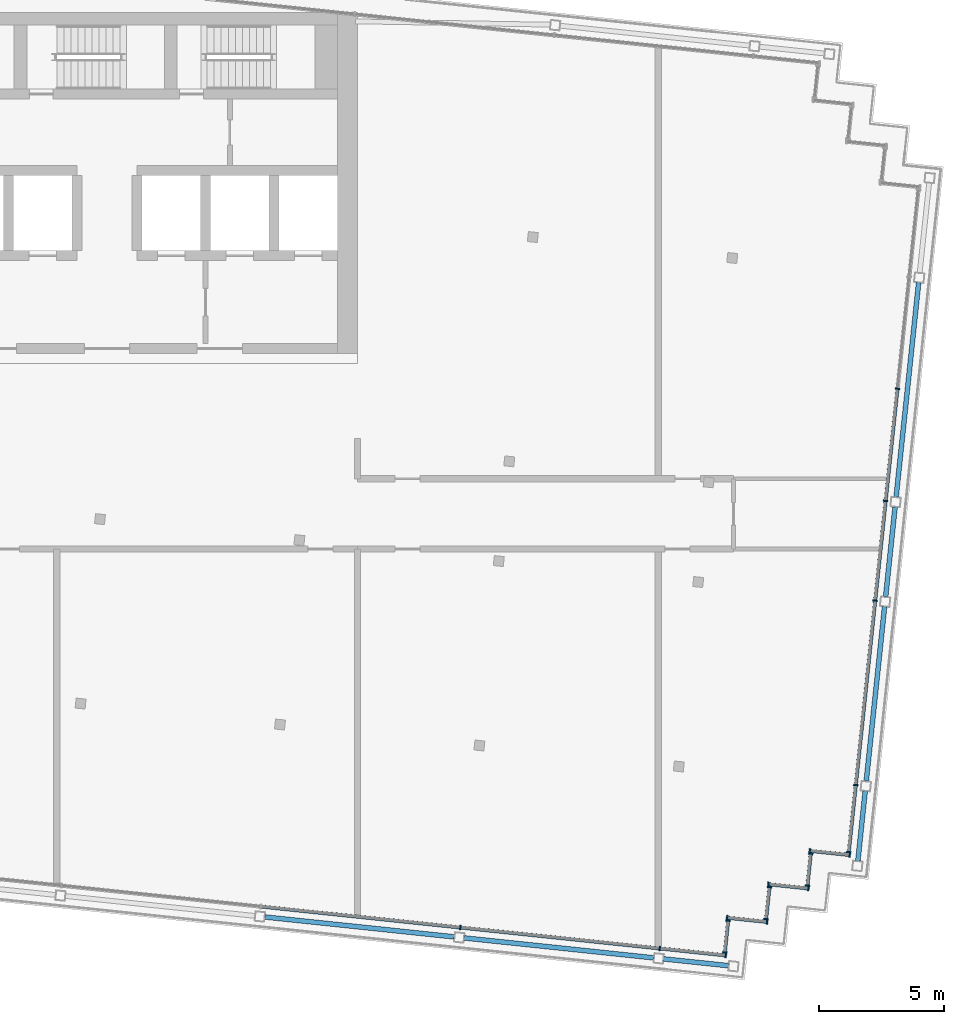
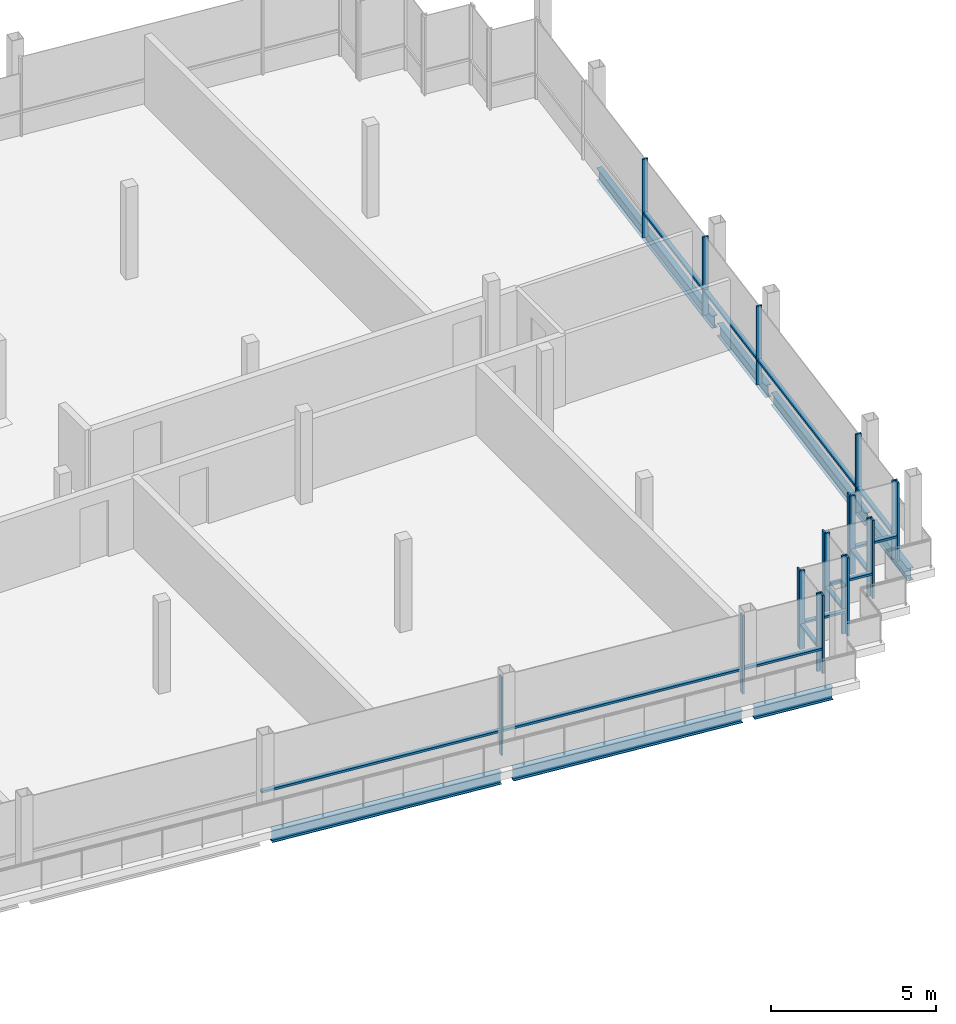
# One storey, part 5 of 15: 33 members, 7 beams, 8 elements without a shape of their own.
"""IFC4 building model written with IfcOpenShell, lengths in metres."""

from ifc_helpers import new_model, si_unit, direction, frame, origin, origin_2d, place, context, subcontext, project, spatial, rectangle, i_section, extrude, material, material_profile, profile_set, type_object, element, aggregate, save


model = new_model("IFC4")

# Units and contexts
model_context = context("Model", 3, precision=1e-05, world=origin(), true_north=direction((0.0, 1.0)))
body_context = subcontext(model_context, "Body", "Model", "MODEL_VIEW")
ifc_project = project(units=[si_unit("LENGTHUNIT", "METRE"), si_unit("AREAUNIT", "SQUARE_METRE"), si_unit("VOLUMEUNIT", "CUBIC_METRE"), si_unit("PLANEANGLEUNIT", "RADIAN"), si_unit("MASSUNIT", "GRAM", prefix="KILO")], contexts=[model_context])

# Site, building, storey
site_placement = place(None, origin())
site = spatial("IfcSite", under=ifc_project, at=site_placement, CompositionType="ELEMENT")
building_placement = place(site_placement, origin())
building = spatial("IfcBuilding", under=site, at=building_placement, Name="Vidyagriha Tower", CompositionType="ELEMENT")
storey_placement = place(building_placement, frame((0.0, 0.0, 298.300048828125)))
storey = spatial("IfcBuildingStorey", under=building, at=storey_placement, Name="L77", CompositionType="ELEMENT", Elevation=298.300048828125)

# Beams
ifc_material_1 = material(Name="Steel ASTM A992 Grade 50", Category="steel")
ifc_material_profile_1 = material_profile(ifc_material_1, i_section(OverallWidth=0.19189453125, OverallDepth=0.46240234375, WebThickness=0.010498046875, FlangeThickness=0.017578125, at=origin_2d()), Name="W18X60")
ifc_profile_set_1 = profile_set([ifc_material_profile_1], Name="Steel ASTM A992 Grade 50")
beam_type = type_object("IfcBeamType", Name="Edge beam W18X60", PredefinedType="SPANDREL", material=ifc_profile_set_1)
beam_1_placement = place(storey_placement, frame((6.299072265625, -16.085693359375, -0.51123046875), z_axis=(0.994521634953, -0.104530940926, 0.0), x_axis=(0.104530940926, 0.994521634953, 0.0)))
element("IfcBeam", 1, at=beam_1_placement, inside=storey, type_object=beam_type, Name="st-beam-L77-S05", PredefinedType="SPANDREL", context=body_context, shape_type="SweptSolid", body=[
    extrude(i_section(OverallWidth=0.19189453125, OverallDepth=0.46240234375, WebThickness=0.010498046875, FlangeThickness=0.017578125, at=origin_2d()), origin(), (0.0, 0.0, 1.0), 7.60009765625),
])
beam_2_placement = place(storey_placement, frame((14.255126953125, -16.922119140625, -0.51123046875), z_axis=(0.994524973995, -0.104499167945, 0.0), x_axis=(0.104499167945, 0.994524973995, 0.0)))
element("IfcBeam", 2, at=beam_2_placement, inside=storey, type_object=beam_type, Name="st-beam-L77-S06", PredefinedType="SPANDREL", context=body_context, shape_type="SweptSolid", body=[
    extrude(i_section(OverallWidth=0.19189453125, OverallDepth=0.46240234375, WebThickness=0.010498046875, FlangeThickness=0.017578125, at=origin_2d()), origin(), (0.0, 0.0, 1.0), 7.599853515625),
])
beam_3_placement = place(storey_placement, frame((22.211181640625, -17.75830078125, -0.51123046875), z_axis=(0.994524472508, -0.104503940512, 0.0), x_axis=(0.104503940512, 0.994524472508, 0.0)))
element("IfcBeam", 3, at=beam_3_placement, inside=storey, type_object=beam_type, Name="st-beam-L77-S07", PredefinedType="SPANDREL", context=body_context, shape_type="SweptSolid", body=[
    extrude(i_section(OverallWidth=0.19189453125, OverallDepth=0.46240234375, WebThickness=0.010498046875, FlangeThickness=0.017578125, at=origin_2d()), origin(), (0.0, 0.0, 1.0), 2.60009765625),
])
beam_4_placement = place(storey_placement, frame((29.962646484375, -13.846923828125, -0.51123046875), z_axis=(0.104553147, 0.994519300694, 0.0), x_axis=(-0.994519300694, 0.104553147, 0.0)))
element("IfcBeam", 4, at=beam_4_placement, inside=storey, type_object=beam_type, Name="st-beam-L77-E13", PredefinedType="SPANDREL", context=body_context, shape_type="SweptSolid", body=[
    extrude(i_section(OverallWidth=0.19189453125, OverallDepth=0.46240234375, WebThickness=0.010498046875, FlangeThickness=0.017578125, at=origin_2d()), origin(), (0.0, 0.0, 1.0), 2.7998046875),
])
beam_5_placement = place(storey_placement, frame((30.297119140625, -10.66455078125, -0.51123046875), z_axis=(0.104526832686, 0.994522066748, 0.0), x_axis=(-0.994522066748, 0.104526832686, 0.0)))
element("IfcBeam", 5, at=beam_5_placement, inside=storey, type_object=beam_type, Name="st-beam-L77-E14", PredefinedType="SPANDREL", context=body_context, shape_type="SweptSolid", body=[
    extrude(i_section(OverallWidth=0.19189453125, OverallDepth=0.46240234375, WebThickness=0.010498046875, FlangeThickness=0.017578125, at=origin_2d()), origin(), (0.0, 0.0, 1.0), 7.0),
])
beam_6_placement = place(storey_placement, frame((31.070556640625, -3.30517578125, -0.51123046875), z_axis=(0.104571819597, 0.994517337479, 0.0), x_axis=(-0.994517337479, 0.104571819597, 0.0)))
element("IfcBeam", 6, at=beam_6_placement, inside=storey, type_object=beam_type, Name="st-beam-L77-E15", PredefinedType="SPANDREL", context=body_context, shape_type="SweptSolid", body=[
    extrude(i_section(OverallWidth=0.19189453125, OverallDepth=0.46240234375, WebThickness=0.010498046875, FlangeThickness=0.017578125, at=origin_2d()), origin(), (0.0, 0.0, 1.0), 3.60009765625),
])
beam_7_placement = place(storey_placement, frame((31.48876953125, 0.673095703125, -0.51123046875), z_axis=(0.104528138401, 0.994521929513, 0.0), x_axis=(-0.994521929513, 0.104528138401, 0.0)))
element("IfcBeam", 7, at=beam_7_placement, inside=storey, type_object=beam_type, Name="st-beam-L77-E16", PredefinedType="SPANDREL", context=body_context, shape_type="SweptSolid", body=[
    extrude(i_section(OverallWidth=0.19189453125, OverallDepth=0.46240234375, WebThickness=0.010498046875, FlangeThickness=0.017578125, at=origin_2d()), origin(), (0.0, 0.0, 1.0), 8.599853515625),
])

# Curtain wall, members
ifc_material_2 = material(Name="Aluminium and glass curtain wall", Category="aluminium")
curtain_wall_type = type_object("IfcCurtainWallType", Name="Lantern glazing wall", PredefinedType="USERDEFINED", material=ifc_material_2)
curtain_wall_1_placement = place(storey_placement, origin())
curtain_wall_1 = element("IfcCurtainWall", 8, at=curtain_wall_1_placement, inside=storey, type_object=curtain_wall_type, Name="CW4 lantern glazing", ObjectType="STICK GLAZING", PredefinedType="USERDEFINED")
ifc_material_3 = material(Name="Aluminium black anodised", Category="aluminium")
ifc_material_profile_2 = material_profile(ifc_material_3, rectangle(XDim=0.179931640625, YDim=0.06005859375, at=origin_2d()), Name="Mullion 60x180 black aluminium")
ifc_profile_set_2 = profile_set([ifc_material_profile_2], Name="Aluminium black anodised")
member_type_1 = type_object("IfcMemberType", Name="Mullion 60x180 black aluminium", PredefinedType="MULLION", material=ifc_profile_set_2)
member_1_placement = place(storey_placement, frame((14.09814453125, -16.503173828125, 0.0), z_axis=(0.0, 0.0, 1.0), x_axis=(0.104528251556, 0.99452191762, 0.0)))
member_1 = element("IfcMember", 9, at=member_1_placement, type_object=member_type_1, Name="CW4 mullion 6", PredefinedType="MULLION", context=body_context, shape_type="SweptSolid", body=[
    extrude(rectangle(XDim=0.179931640625, YDim=0.06005859375, at=origin_2d()), origin(), (0.0, 0.0, 1.0), 2.89990234375),
])
member_2_placement = place(storey_placement, frame((22.05419921875, -17.33935546875, 0.0), z_axis=(0.0, 0.0, 1.0), x_axis=(0.104528251556, 0.99452191762, 0.0)))
member_2 = element("IfcMember", 10, at=member_2_placement, type_object=member_type_1, Name="CW4 mullion 7", PredefinedType="MULLION", context=body_context, shape_type="SweptSolid", body=[
    extrude(rectangle(XDim=0.179931640625, YDim=0.06005859375, at=origin_2d()), origin(), (0.0, 0.0, 1.0), 2.89990234375),
])
member_3_placement = place(storey_placement, frame((24.689697265625, -17.616455078125, 0.0), z_axis=(0.0, 0.0, 1.0), x_axis=(0.104528251556, 0.99452191762, 0.0)))
member_3 = element("IfcMember", 11, at=member_3_placement, type_object=member_type_1, Name="CW4 mullion 8", PredefinedType="MULLION", context=body_context, shape_type="SweptSolid", body=[
    extrude(rectangle(XDim=0.179931640625, YDim=0.06005859375, at=origin_2d()), origin(), (0.0, 0.0, 1.0), 2.89990234375),
])

curtain_wall_2_placement = place(storey_placement, origin())
curtain_wall_2 = element("IfcCurtainWall", 12, at=curtain_wall_2_placement, inside=storey, type_object=curtain_wall_type, Name="CW4 lantern glazing", ObjectType="STICK GLAZING", PredefinedType="USERDEFINED")
member_4_placement = place(storey_placement, frame((24.651611328125, -17.501953125, 0.0), z_axis=(0.0, 0.0, 1.0), x_axis=(-0.994518939392, 0.104556583677, 0.0)))
member_4 = element("IfcMember", 13, at=member_4_placement, type_object=member_type_1, Name="CW4 mullion 1", PredefinedType="MULLION", context=body_context, shape_type="SweptSolid", body=[
    extrude(rectangle(XDim=0.179931640625, YDim=0.06005859375, at=origin_2d()), origin(), (0.0, 0.0, 1.0), 2.89990234375),
])
member_5_placement = place(storey_placement, frame((24.785400390625, -16.22900390625, 0.0), z_axis=(0.0, 0.0, 1.0), x_axis=(-0.994518939392, 0.104556583677, 0.0)))
member_5 = element("IfcMember", 14, at=member_5_placement, type_object=member_type_1, Name="CW4 mullion 2", PredefinedType="MULLION", context=body_context, shape_type="SweptSolid", body=[
    extrude(rectangle(XDim=0.179931640625, YDim=0.06005859375, at=origin_2d()), origin(), (0.0, 0.0, 1.0), 2.89990234375),
])

curtain_wall_3_placement = place(storey_placement, origin())
curtain_wall_3 = element("IfcCurtainWall", 15, at=curtain_wall_3_placement, inside=storey, type_object=curtain_wall_type, Name="CW4 lantern glazing", ObjectType="STICK GLAZING", PredefinedType="USERDEFINED")
member_6_placement = place(storey_placement, frame((24.7470703125, -16.1142578125, 0.0), z_axis=(0.0, 0.0, 1.0), x_axis=(0.104518583201, 0.994522933756, 0.0)))
member_6 = element("IfcMember", 16, at=member_6_placement, type_object=member_type_1, Name="CW4 mullion 1", PredefinedType="MULLION", context=body_context, shape_type="SweptSolid", body=[
    extrude(rectangle(XDim=0.179931640625, YDim=0.06005859375, at=origin_2d()), origin(), (0.0, 0.0, 1.0), 2.89990234375),
])
member_7_placement = place(storey_placement, frame((26.33837890625, -16.281494140625, 0.0), z_axis=(0.0, 0.0, 1.0), x_axis=(0.104518583201, 0.994522933756, 0.0)))
member_7 = element("IfcMember", 17, at=member_7_placement, type_object=member_type_1, Name="CW4 mullion 2", PredefinedType="MULLION", context=body_context, shape_type="SweptSolid", body=[
    extrude(rectangle(XDim=0.179931640625, YDim=0.06005859375, at=origin_2d()), origin(), (0.0, 0.0, 1.0), 2.89990234375),
])

curtain_wall_4_placement = place(storey_placement, origin())
curtain_wall_4 = element("IfcCurtainWall", 18, at=curtain_wall_4_placement, inside=storey, type_object=curtain_wall_type, Name="CW4 lantern glazing", ObjectType="STICK GLAZING", PredefinedType="USERDEFINED")
member_8_placement = place(storey_placement, frame((26.300048828125, -16.1669921875, 0.0), z_axis=(0.0, 0.0, 1.0), x_axis=(-0.994519755162, 0.104548823962, 0.0)))
member_8 = element("IfcMember", 19, at=member_8_placement, type_object=member_type_1, Name="CW4 mullion 1", PredefinedType="MULLION", context=body_context, shape_type="SweptSolid", body=[
    extrude(rectangle(XDim=0.179931640625, YDim=0.06005859375, at=origin_2d()), origin(), (0.0, 0.0, 1.0), 2.89990234375),
])
member_9_placement = place(storey_placement, frame((26.43408203125, -14.89404296875, 0.0), z_axis=(0.0, 0.0, 1.0), x_axis=(-0.994519755162, 0.104548823962, 0.0)))
member_9 = element("IfcMember", 20, at=member_9_placement, type_object=member_type_1, Name="CW4 mullion 2", PredefinedType="MULLION", context=body_context, shape_type="SweptSolid", body=[
    extrude(rectangle(XDim=0.179931640625, YDim=0.06005859375, at=origin_2d()), origin(), (0.0, 0.0, 1.0), 2.89990234375),
])

curtain_wall_5_placement = place(storey_placement, origin())
curtain_wall_5 = element("IfcCurtainWall", 21, at=curtain_wall_5_placement, inside=storey, type_object=curtain_wall_type, Name="CW4 lantern glazing", ObjectType="STICK GLAZING", PredefinedType="USERDEFINED")
member_10_placement = place(storey_placement, frame((26.395751953125, -14.779296875, 0.0), z_axis=(0.0, 0.0, 1.0), x_axis=(0.104518583201, 0.994522933756, 0.0)))
member_10 = element("IfcMember", 22, at=member_10_placement, type_object=member_type_1, Name="CW4 mullion 1", PredefinedType="MULLION", context=body_context, shape_type="SweptSolid", body=[
    extrude(rectangle(XDim=0.179931640625, YDim=0.06005859375, at=origin_2d()), origin(), (0.0, 0.0, 1.0), 2.89990234375),
])
member_11_placement = place(storey_placement, frame((27.98681640625, -14.946533203125, 0.0), z_axis=(0.0, 0.0, 1.0), x_axis=(0.104518583201, 0.994522933756, 0.0)))
member_11 = element("IfcMember", 23, at=member_11_placement, type_object=member_type_1, Name="CW4 mullion 2", PredefinedType="MULLION", context=body_context, shape_type="SweptSolid", body=[
    extrude(rectangle(XDim=0.179931640625, YDim=0.06005859375, at=origin_2d()), origin(), (0.0, 0.0, 1.0), 2.89990234375),
])

curtain_wall_6_placement = place(storey_placement, origin())
curtain_wall_6 = element("IfcCurtainWall", 24, at=curtain_wall_6_placement, inside=storey, type_object=curtain_wall_type, Name="CW4 lantern glazing", ObjectType="STICK GLAZING", PredefinedType="USERDEFINED")
member_12_placement = place(storey_placement, frame((27.94873046875, -14.83203125, 0.0), z_axis=(0.0, 0.0, 1.0), x_axis=(-0.994519755162, 0.104548823962, 0.0)))
member_12 = element("IfcMember", 25, at=member_12_placement, type_object=member_type_1, Name="CW4 mullion 1", PredefinedType="MULLION", context=body_context, shape_type="SweptSolid", body=[
    extrude(rectangle(XDim=0.179931640625, YDim=0.06005859375, at=origin_2d()), origin(), (0.0, 0.0, 1.0), 2.89990234375),
])
member_13_placement = place(storey_placement, frame((28.08251953125, -13.558837890625, 0.0), z_axis=(0.0, 0.0, 1.0), x_axis=(-0.994519755162, 0.104548823962, 0.0)))
member_13 = element("IfcMember", 26, at=member_13_placement, type_object=member_type_1, Name="CW4 mullion 2", PredefinedType="MULLION", context=body_context, shape_type="SweptSolid", body=[
    extrude(rectangle(XDim=0.179931640625, YDim=0.06005859375, at=origin_2d()), origin(), (0.0, 0.0, 1.0), 2.89990234375),
])

curtain_wall_7_placement = place(storey_placement, origin())
curtain_wall_7 = element("IfcCurtainWall", 27, at=curtain_wall_7_placement, inside=storey, type_object=curtain_wall_type, Name="CW4 lantern glazing", ObjectType="STICK GLAZING", PredefinedType="USERDEFINED")
member_14_placement = place(storey_placement, frame((28.044189453125, -13.4443359375, 0.0), z_axis=(0.0, 0.0, 1.0), x_axis=(0.104512321721, 0.994523591781, 0.0)))
member_14 = element("IfcMember", 28, at=member_14_placement, type_object=member_type_1, Name="CW4 mullion 1", PredefinedType="MULLION", context=body_context, shape_type="SweptSolid", body=[
    extrude(rectangle(XDim=0.179931640625, YDim=0.06005859375, at=origin_2d()), origin(), (0.0, 0.0, 1.0), 2.89990234375),
])
member_15_placement = place(storey_placement, frame((29.635498046875, -13.611572265625, 0.0), z_axis=(0.0, 0.0, 1.0), x_axis=(0.104512321721, 0.994523591781, 0.0)))
member_15 = element("IfcMember", 29, at=member_15_placement, type_object=member_type_1, Name="CW4 mullion 2", PredefinedType="MULLION", context=body_context, shape_type="SweptSolid", body=[
    extrude(rectangle(XDim=0.179931640625, YDim=0.06005859375, at=origin_2d()), origin(), (0.0, 0.0, 1.0), 2.89990234375),
])

curtain_wall_8_placement = place(storey_placement, origin())
curtain_wall_8 = element("IfcCurtainWall", 30, at=curtain_wall_8_placement, inside=storey, type_object=curtain_wall_type, Name="CW4 lantern glazing", ObjectType="STICK GLAZING", PredefinedType="USERDEFINED")
member_16_placement = place(storey_placement, frame((29.59716796875, -13.4970703125, 0.0), z_axis=(0.0, 0.0, 1.0), x_axis=(-0.994522059728, 0.104526899479, 0.0)))
member_16 = element("IfcMember", 31, at=member_16_placement, type_object=member_type_1, Name="CW4 mullion 1", PredefinedType="MULLION", context=body_context, shape_type="SweptSolid", body=[
    extrude(rectangle(XDim=0.179931640625, YDim=0.06005859375, at=origin_2d()), origin(), (0.0, 0.0, 1.0), 2.89990234375),
])
member_17_placement = place(storey_placement, frame((29.87841796875, -10.82177734375, 0.0), z_axis=(0.0, 0.0, 1.0), x_axis=(-0.994522059728, 0.104526899479, 0.0)))
member_17 = element("IfcMember", 32, at=member_17_placement, type_object=member_type_1, Name="CW4 mullion 2", PredefinedType="MULLION", context=body_context, shape_type="SweptSolid", body=[
    extrude(rectangle(XDim=0.179931640625, YDim=0.06005859375, at=origin_2d()), origin(), (0.0, 0.0, 1.0), 2.89990234375),
])
member_18_placement = place(storey_placement, frame((30.65185546875, -3.462158203125, 0.0), z_axis=(0.0, 0.0, 1.0), x_axis=(-0.994522059728, 0.104526899479, 0.0)))
member_18 = element("IfcMember", 33, at=member_18_placement, type_object=member_type_1, Name="CW4 mullion 3", PredefinedType="MULLION", context=body_context, shape_type="SweptSolid", body=[
    extrude(rectangle(XDim=0.179931640625, YDim=0.06005859375, at=origin_2d()), origin(), (0.0, 0.0, 1.0), 2.89990234375),
])
member_19_placement = place(storey_placement, frame((31.070068359375, 0.515869140625, 0.0), z_axis=(0.0, 0.0, 1.0), x_axis=(-0.994522059728, 0.104526899479, 0.0)))
member_19 = element("IfcMember", 34, at=member_19_placement, type_object=member_type_1, Name="CW4 mullion 4", PredefinedType="MULLION", context=body_context, shape_type="SweptSolid", body=[
    extrude(rectangle(XDim=0.179931640625, YDim=0.06005859375, at=origin_2d()), origin(), (0.0, 0.0, 1.0), 2.89990234375),
])
member_20_placement = place(storey_placement, frame((31.540283203125, 4.9912109375, 0.0), z_axis=(0.0, 0.0, 1.0), x_axis=(-0.994522059728, 0.104526899479, 0.0)))
member_20 = element("IfcMember", 35, at=member_20_placement, type_object=member_type_1, Name="CW4 mullion 5", PredefinedType="MULLION", context=body_context, shape_type="SweptSolid", body=[
    extrude(rectangle(XDim=0.179931640625, YDim=0.06005859375, at=origin_2d()), origin(), (0.0, 0.0, 1.0), 2.89990234375),
])

# Member
ifc_material_4 = material(Name="Aluminium black anodised", Category="aluminium")
ifc_material_profile_3 = material_profile(ifc_material_4, rectangle(XDim=0.139892578125, YDim=0.080078125, at=origin_2d()), Name="Transom 80x140 black aluminium")
ifc_profile_set_3 = profile_set([ifc_material_profile_3], Name="Aluminium black anodised")
member_type_2 = type_object("IfcMemberType", Name="Transom 80x140 black aluminium", PredefinedType="USERDEFINED", material=ifc_profile_set_3)
member_21_placement = place(storey_placement, frame((6.171630859375, -15.670166015625, 0.89990234375), z_axis=(0.994523801804, -0.104510323151, 0.0), x_axis=(0.104510323151, 0.994523801804, 0.0)))
member_21 = element("IfcMember", 36, at=member_21_placement, type_object=member_type_2, Name="CW4 transom 5.1", ObjectType="TRANSOM", PredefinedType="USERDEFINED", context=body_context, shape_type="SweptSolid", body=[
    extrude(rectangle(XDim=0.139892578125, YDim=0.080078125, at=origin_2d()), origin(), (0.0, 0.0, 1.0), 7.940185546875),
])

member_22_placement = place(storey_placement, frame((14.1279296875, -16.50634765625, 0.89990234375), z_axis=(0.994520269484, -0.10454393137, 0.0), x_axis=(0.10454393137, 0.994520269484, 0.0)))
member_22 = element("IfcMember", 37, at=member_22_placement, type_object=member_type_2, Name="CW4 transom 6.1", ObjectType="TRANSOM", PredefinedType="USERDEFINED", context=body_context, shape_type="SweptSolid", body=[
    extrude(rectangle(XDim=0.139892578125, YDim=0.080078125, at=origin_2d()), origin(), (0.0, 0.0, 1.0), 7.93994140625),
])

member_23_placement = place(storey_placement, frame((22.084228515625, -17.342529296875, 0.89990234375), z_axis=(0.994520422208, -0.104542478505, 0.0), x_axis=(0.104542478505, 0.994520422208, 0.0)))
member_23 = element("IfcMember", 38, at=member_23_placement, type_object=member_type_2, Name="CW4 transom 7.1", ObjectType="TRANSOM", PredefinedType="USERDEFINED", context=body_context, shape_type="SweptSolid", body=[
    extrude(rectangle(XDim=0.139892578125, YDim=0.080078125, at=origin_2d()), origin(), (0.0, 0.0, 1.0), 2.58984375),
])

aggregate(curtain_wall_1, [member_1, member_2, member_3, member_21, member_22, member_23])

member_24_placement = place(storey_placement, frame((24.65478515625, -17.471923828125, 0.89990234375), z_axis=(0.104476410646, 0.994527364942, 0.0), x_axis=(-0.994527364942, 0.104476410646, 0.0)))
member_24 = element("IfcMember", 39, at=member_24_placement, type_object=member_type_2, Name="CW4 transom 1.1", ObjectType="TRANSOM", PredefinedType="USERDEFINED", context=body_context, shape_type="SweptSolid", body=[
    extrude(rectangle(XDim=0.139892578125, YDim=0.080078125, at=origin_2d()), origin(), (0.0, 0.0, 1.0), 1.2197265625),
])

aggregate(curtain_wall_2, [member_4, member_5, member_24])

member_25_placement = place(storey_placement, frame((24.77685546875, -16.117431640625, 0.89990234375), z_axis=(0.994528879637, -0.104461991023, 0.0), x_axis=(0.104461991023, 0.994528879637, 0.0)))
member_25 = element("IfcMember", 40, at=member_25_placement, type_object=member_type_2, Name="CW4 transom 1.1", ObjectType="TRANSOM", PredefinedType="USERDEFINED", context=body_context, shape_type="SweptSolid", body=[
    extrude(rectangle(XDim=0.139892578125, YDim=0.080078125, at=origin_2d()), origin(), (0.0, 0.0, 1.0), 1.540283203125),
])

aggregate(curtain_wall_3, [member_6, member_7, member_25])

member_26_placement = place(storey_placement, frame((26.30322265625, -16.13720703125, 0.89990234375), z_axis=(0.104653535604, 0.994508741784, 0.0), x_axis=(-0.994508741784, 0.104653535604, 0.0)))
member_26 = element("IfcMember", 41, at=member_26_placement, type_object=member_type_2, Name="CW4 transom 1.1", ObjectType="TRANSOM", PredefinedType="USERDEFINED", context=body_context, shape_type="SweptSolid", body=[
    extrude(rectangle(XDim=0.139892578125, YDim=0.080078125, at=origin_2d()), origin(), (0.0, 0.0, 1.0), 1.219970703125),
])

aggregate(curtain_wall_4, [member_8, member_9, member_26])

member_27_placement = place(storey_placement, frame((26.425537109375, -14.782470703125, 0.89990234375), z_axis=(0.994527149453, -0.104478461899, 0.0), x_axis=(0.104478461899, 0.994527149453, 0.0)))
member_27 = element("IfcMember", 42, at=member_27_placement, type_object=member_type_2, Name="CW4 transom 1.1", ObjectType="TRANSOM", PredefinedType="USERDEFINED", context=body_context, shape_type="SweptSolid", body=[
    extrude(rectangle(XDim=0.139892578125, YDim=0.080078125, at=origin_2d()), origin(), (0.0, 0.0, 1.0), 1.5400390625),
])

aggregate(curtain_wall_5, [member_10, member_11, member_27])

member_28_placement = place(storey_placement, frame((27.95166015625, -14.80224609375, 0.89990234375), z_axis=(0.104653535604, 0.994508741784, 0.0), x_axis=(-0.994508741784, 0.104653535604, 0.0)))
member_28 = element("IfcMember", 43, at=member_28_placement, type_object=member_type_2, Name="CW4 transom 1.1", ObjectType="TRANSOM", PredefinedType="USERDEFINED", context=body_context, shape_type="SweptSolid", body=[
    extrude(rectangle(XDim=0.139892578125, YDim=0.080078125, at=origin_2d()), origin(), (0.0, 0.0, 1.0), 1.219970703125),
])

aggregate(curtain_wall_6, [member_12, member_13, member_28])

member_29_placement = place(storey_placement, frame((28.073974609375, -13.447509765625, 0.89990234375), z_axis=(0.994528879637, -0.104461991023, 0.0), x_axis=(0.104461991023, 0.994528879637, 0.0)))
member_29 = element("IfcMember", 44, at=member_29_placement, type_object=member_type_2, Name="CW4 transom 1.1", ObjectType="TRANSOM", PredefinedType="USERDEFINED", context=body_context, shape_type="SweptSolid", body=[
    extrude(rectangle(XDim=0.139892578125, YDim=0.080078125, at=origin_2d()), origin(), (0.0, 0.0, 1.0), 1.540283203125),
])

aggregate(curtain_wall_7, [member_14, member_15, member_29])

member_30_placement = place(storey_placement, frame((29.600341796875, -13.467041015625, 0.89990234375), z_axis=(0.104530146087, 0.994521718495, 0.0), x_axis=(-0.994521718495, 0.104530146087, 0.0)))
member_30 = element("IfcMember", 45, at=member_30_placement, type_object=member_type_2, Name="CW4 transom 1.1", ObjectType="TRANSOM", PredefinedType="USERDEFINED", context=body_context, shape_type="SweptSolid", body=[
    extrude(rectangle(XDim=0.139892578125, YDim=0.080078125, at=origin_2d()), origin(), (0.0, 0.0, 1.0), 2.6298828125),
])

member_31_placement = place(storey_placement, frame((29.881591796875, -10.791748046875, 0.89990234375), z_axis=(0.104508177052, 0.994524027326, 0.0), x_axis=(-0.994524027326, 0.104508177052, 0.0)))
member_31 = element("IfcMember", 46, at=member_31_placement, type_object=member_type_2, Name="CW4 transom 2.1", ObjectType="TRANSOM", PredefinedType="USERDEFINED", context=body_context, shape_type="SweptSolid", body=[
    extrude(rectangle(XDim=0.139892578125, YDim=0.080078125, at=origin_2d()), origin(), (0.0, 0.0, 1.0), 7.340087890625),
])

member_32_placement = place(storey_placement, frame((30.655029296875, -3.432373046875, 0.89990234375), z_axis=(0.104533183829, 0.994521399206, 0.0), x_axis=(-0.994521399206, 0.104533183829, 0.0)))
member_32 = element("IfcMember", 47, at=member_32_placement, type_object=member_type_2, Name="CW4 transom 3.1", ObjectType="TRANSOM", PredefinedType="USERDEFINED", context=body_context, shape_type="SweptSolid", body=[
    extrude(rectangle(XDim=0.139892578125, YDim=0.080078125, at=origin_2d()), origin(), (0.0, 0.0, 1.0), 3.93994140625),
])

member_33_placement = place(storey_placement, frame((31.0732421875, 0.545654296875, 0.89990234375), z_axis=(0.104527359082, 0.994522011422, 0.0), x_axis=(-0.994522011422, 0.104527359082, 0.0)))
member_33 = element("IfcMember", 48, at=member_33_placement, type_object=member_type_2, Name="CW4 transom 4.1", ObjectType="TRANSOM", PredefinedType="USERDEFINED", context=body_context, shape_type="SweptSolid", body=[
    extrude(rectangle(XDim=0.139892578125, YDim=0.080078125, at=origin_2d()), origin(), (0.0, 0.0, 1.0), 4.440185546875),
])

aggregate(curtain_wall_8, [member_16, member_17, member_18, member_19, member_20, member_30, member_31, member_32, member_33])

save(model, "model.ifc")
